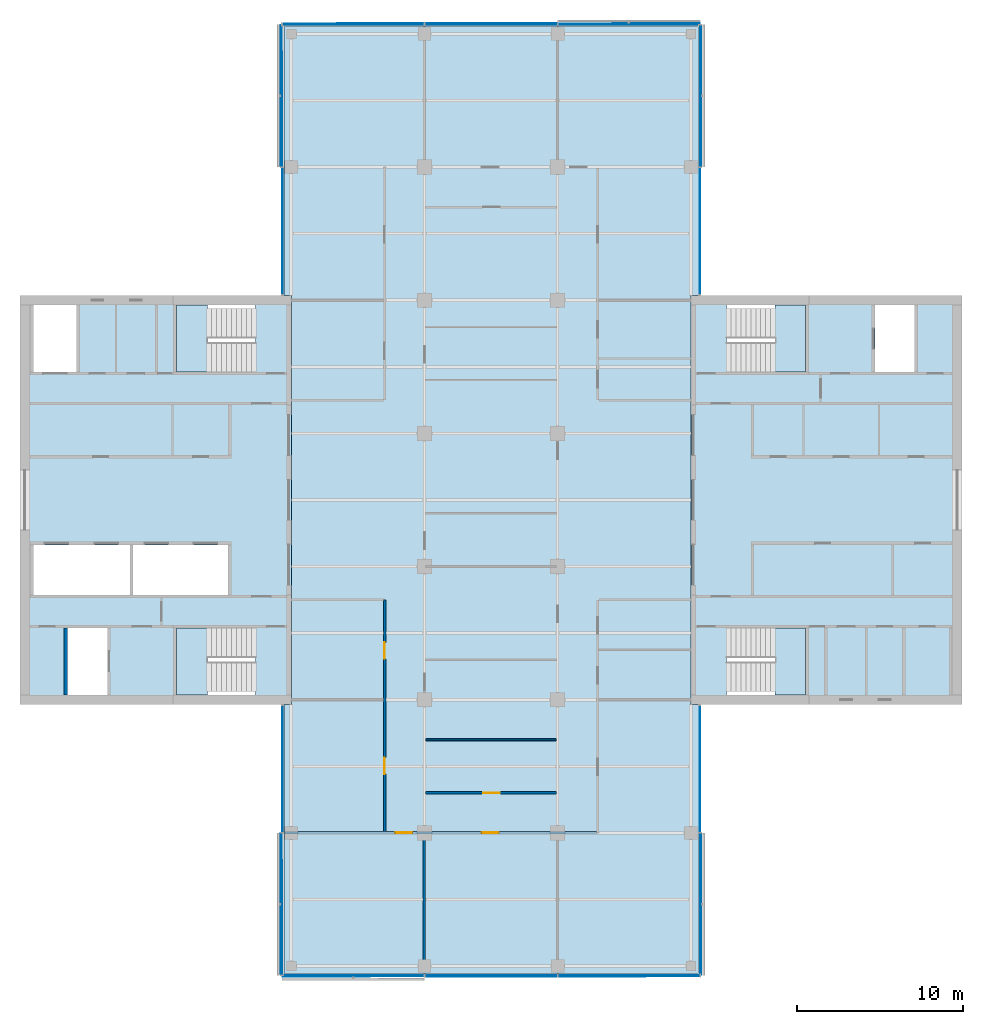
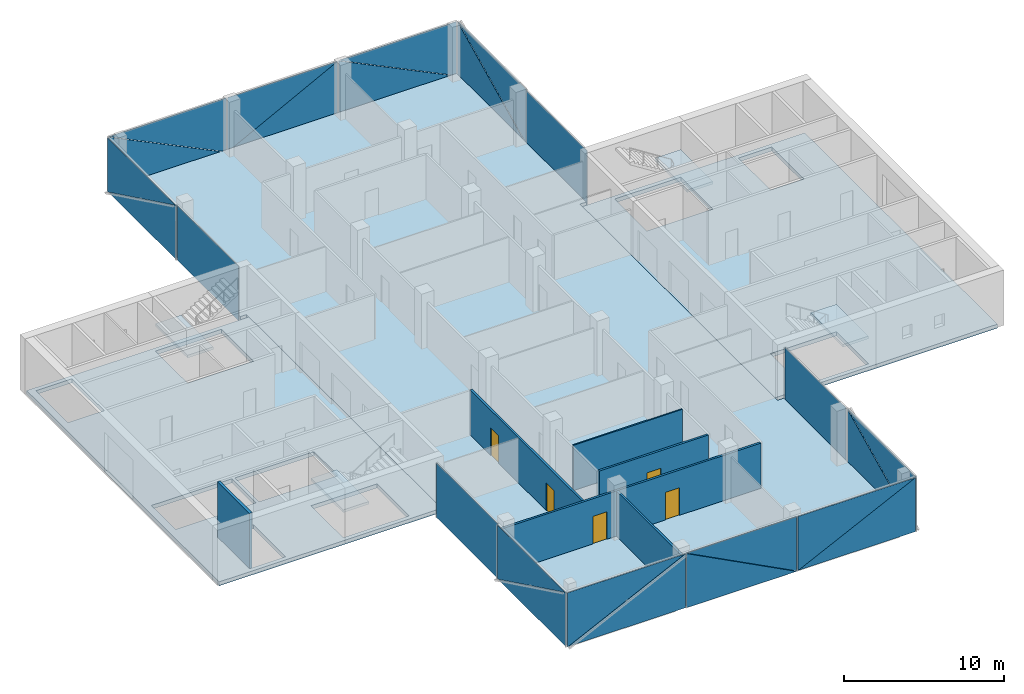
# One storey, part 8 of 15: 24 plates, 7 slabs, 6 walls, 5 doors, 5 openings, 14 elements without a shape of their own.
"""IFC4 building model written with IfcOpenShell, lengths in metres."""

from ifc_helpers import new_model, si_unit, direction, frame, frame_2d, origin, place, context, subcontext, project, spatial, polyline, rectangle, outline, extrude, material, layer, layer_set, type_object, element, fill, aggregate, save


model = new_model("IFC4")

# Units and contexts
model_context = context("Model", 3, precision=1e-05, world=origin(), true_north=direction((0.0, 1.0)))
body_context = subcontext(model_context, "Body", "Model", "MODEL_VIEW")
ifc_project = project(units=[si_unit("LENGTHUNIT", "METRE"), si_unit("AREAUNIT", "SQUARE_METRE"), si_unit("VOLUMEUNIT", "CUBIC_METRE"), si_unit("PLANEANGLEUNIT", "RADIAN"), si_unit("MASSUNIT", "GRAM", prefix="KILO")], contexts=[model_context])

# Site, building, storey
site_placement = place(None, origin())
site = spatial("IfcSite", under=ifc_project, at=site_placement, CompositionType="ELEMENT")
building_placement = place(site_placement, origin())
building = spatial("IfcBuilding", under=site, at=building_placement, Name="Crosswind Convention Tower", CompositionType="ELEMENT")
storey_placement = place(building_placement, frame((0.0, 0.0, 195.699951171875)))
storey = spatial("IfcBuildingStorey", under=building, at=storey_placement, Name="L41", CompositionType="ELEMENT", Elevation=195.699951171875)

# Slabs
ifc_material_1 = material(Name="Concrete C40/50", Category="concrete")
ifc_layer_1 = layer(ifc_material_1, 0.300048828125)
ifc_layer_set_1 = layer_set([ifc_layer_1], Name="Concrete C40/50")
slab_type_1 = type_object("IfcSlabType", Name="Composite floor slab 300", PredefinedType="FLOOR", material=ifc_layer_set_1)
slab_1_placement = place(storey_placement, frame((0.0, 0.0, -0.300048828125)))
element("IfcSlab", 1, at=slab_1_placement, inside=storey, type_object=slab_type_1, Name="Floor slab L41", PredefinedType="FLOOR", context=body_context, shape_type="SweptSolid", body=[
    extrude(outline(polyline([(137.449951171875, 71.550048828125), (137.0, 71.550048828125), (113.0, 71.550048828125), (112.550048828125, 71.550048828125), (112.550048828125, 72.0), (112.550048828125, 87.699951171875), (113.0, 87.699951171875), (113.0, 112.300048828125), (112.550048828125, 112.300048828125), (112.550048828125, 128.0), (112.550048828125, 128.449951171875), (113.0, 128.449951171875), (137.0, 128.449951171875), (137.449951171875, 128.449951171875), (137.449951171875, 128.0), (137.449951171875, 112.300048828125), (137.0, 112.300048828125), (137.0, 87.699951171875), (137.449951171875, 87.699951171875), (137.449951171875, 72.0), (137.449951171875, 71.550048828125)])), origin(), (0.0, 0.0, 1.0), 0.300048828125),
])
ifc_layer_2 = layer(ifc_material_1, 0.300048828125)
ifc_layer_set_2 = layer_set([ifc_layer_2], Name="Concrete C40/50")
slab_type_2 = type_object("IfcSlabType", Name="Concrete core floor slab 300", PredefinedType="FLOOR", material=ifc_layer_set_2)
slab_2_placement = place(storey_placement, frame((0.0, 0.0, -0.300048828125)))
element("IfcSlab", 2, at=slab_2_placement, inside=storey, type_object=slab_type_2, Name="Core floor slab E L41", PredefinedType="FLOOR", context=body_context, shape_type="SweptSolid", body=[
    extrude(outline(polyline([(137.0, 88.0), (153.0, 88.0), (153.0, 112.0), (137.0, 112.0), (137.0, 88.0)]), holes=[polyline([(150.449951171875, 107.699951171875), (150.449951171875, 111.699951171875), (148.050048828125, 111.699951171875), (148.050048828125, 107.699951171875), (150.449951171875, 107.699951171875)]), polyline([(143.89990234375, 107.699951171875), (143.89990234375, 111.699951171875), (139.14990234375, 111.699951171875), (139.14990234375, 107.699951171875), (143.89990234375, 107.699951171875)]), polyline([(143.89990234375, 88.300048828125), (143.89990234375, 92.300048828125), (139.14990234375, 92.300048828125), (139.14990234375, 88.300048828125), (143.89990234375, 88.300048828125)])]), origin(), (0.0, 0.0, 1.0), 0.300048828125),
])
slab_3_placement = place(storey_placement, frame((0.0, 0.0, -0.300048828125)))
element("IfcSlab", 3, at=slab_3_placement, inside=storey, type_object=slab_type_2, Name="Core floor slab W L41", PredefinedType="FLOOR", context=body_context, shape_type="SweptSolid", body=[
    extrude(outline(polyline([(97.0, 88.0), (113.0, 88.0), (113.0, 112.0), (97.0, 112.0), (97.0, 88.0)]), holes=[polyline([(109.199951171875, 94.300048828125), (109.199951171875, 97.300048828125), (103.5, 97.300048828125), (103.5, 94.300048828125), (109.199951171875, 94.300048828125)]), polyline([(103.300048828125, 94.300048828125), (103.300048828125, 97.300048828125), (97.5, 97.300048828125), (97.5, 94.300048828125), (103.300048828125, 94.300048828125)]), polyline([(101.949951171875, 88.300048828125), (101.949951171875, 92.300048828125), (99.550048828125, 92.300048828125), (99.550048828125, 88.300048828125), (101.949951171875, 88.300048828125)]), polyline([(100.10009765625, 107.699951171875), (100.10009765625, 111.699951171875), (97.5, 111.699951171875), (97.5, 107.699951171875), (100.10009765625, 107.699951171875)]), polyline([(110.85009765625, 88.300048828125), (110.85009765625, 92.300048828125), (106.10009765625, 92.300048828125), (106.10009765625, 88.300048828125), (110.85009765625, 88.300048828125)]), polyline([(110.85009765625, 107.699951171875), (110.85009765625, 111.699951171875), (106.10009765625, 111.699951171875), (106.10009765625, 107.699951171875), (110.85009765625, 107.699951171875)])]), origin(), (0.0, 0.0, 1.0), 0.300048828125),
])

# Stair, slab
stair_type = type_object("IfcStairType", Name="Exit stair 1800 wide, 2 flights of 11 risers", PredefinedType="HALF_TURN_STAIR", material=ifc_material_1)
stair_1_placement = place(storey_placement, origin())
stair_1 = element("IfcStair", 4, at=stair_1_placement, inside=storey, type_object=stair_type, Name="Exit stair ST1 L41", ObjectType="ST5", PredefinedType="HALF_TURN_STAIR")
ifc_layer_3 = layer(ifc_material_1, 0.199951171875)
ifc_layer_set_3 = layer_set([ifc_layer_3], Name="Concrete C40/50")
slab_type_3 = type_object("IfcSlabType", Name="Stair landing 200", PredefinedType="LANDING", material=ifc_layer_set_3)
slab_4_placement = place(storey_placement, frame((0.0, 0.0, 1.900146484375)))
slab_4 = element("IfcSlab", 5, at=slab_4_placement, type_object=slab_type_3, Name="ST1 landing 1", PredefinedType="LANDING", context=body_context, shape_type="SweptSolid", body=[
    extrude(outline(polyline([(143.89990234375, 107.699951171875), (143.89990234375, 111.699951171875), (142.050048828125, 111.699951171875), (142.050048828125, 107.699951171875), (143.89990234375, 107.699951171875)])), origin(), (0.0, 0.0, 1.0), 0.199951171875),
])
aggregate(stair_1, [slab_4])

stair_2_placement = place(storey_placement, origin())
stair_2 = element("IfcStair", 6, at=stair_2_placement, inside=storey, type_object=stair_type, Name="Exit stair ST2 L41", ObjectType="ST5", PredefinedType="HALF_TURN_STAIR")
slab_5_placement = place(storey_placement, frame((0.0, 0.0, 1.900146484375)))
slab_5 = element("IfcSlab", 7, at=slab_5_placement, type_object=slab_type_3, Name="ST2 landing 1", PredefinedType="LANDING", context=body_context, shape_type="SweptSolid", body=[
    extrude(outline(polyline([(143.89990234375, 88.300048828125), (143.89990234375, 92.300048828125), (142.050048828125, 92.300048828125), (142.050048828125, 88.300048828125), (143.89990234375, 88.300048828125)])), origin(), (0.0, 0.0, 1.0), 0.199951171875),
])
aggregate(stair_2, [slab_5])

stair_3_placement = place(storey_placement, origin())
stair_3 = element("IfcStair", 8, at=stair_3_placement, inside=storey, type_object=stair_type, Name="Exit stair ST3 L41", ObjectType="ST5", PredefinedType="HALF_TURN_STAIR")
slab_6_placement = place(storey_placement, frame((0.0, 0.0, 1.900146484375)))
slab_6 = element("IfcSlab", 9, at=slab_6_placement, type_object=slab_type_3, Name="ST3 landing 1", PredefinedType="LANDING", context=body_context, shape_type="SweptSolid", body=[
    extrude(outline(polyline([(107.949951171875, 88.300048828125), (107.949951171875, 92.300048828125), (106.10009765625, 92.300048828125), (106.10009765625, 88.300048828125), (107.949951171875, 88.300048828125)])), origin(), (0.0, 0.0, 1.0), 0.199951171875),
])
aggregate(stair_3, [slab_6])

stair_4_placement = place(storey_placement, origin())
stair_4 = element("IfcStair", 10, at=stair_4_placement, inside=storey, type_object=stair_type, Name="Exit stair ST4 L41", ObjectType="ST5", PredefinedType="HALF_TURN_STAIR")
slab_7_placement = place(storey_placement, frame((0.0, 0.0, 1.900146484375)))
slab_7 = element("IfcSlab", 11, at=slab_7_placement, type_object=slab_type_3, Name="ST4 landing 1", PredefinedType="LANDING", context=body_context, shape_type="SweptSolid", body=[
    extrude(outline(polyline([(107.949951171875, 107.699951171875), (107.949951171875, 111.699951171875), (106.10009765625, 111.699951171875), (106.10009765625, 107.699951171875), (107.949951171875, 107.699951171875)])), origin(), (0.0, 0.0, 1.0), 0.199951171875),
])
aggregate(stair_4, [slab_7])

# Curtain wall, plate
ifc_material_2 = material(Name="Aluminium unitised curtain wall", Category="aluminium")
curtain_wall_type_1 = type_object("IfcCurtainWallType", Name="CORE END SLOT WALL 160", PredefinedType="USERDEFINED", material=ifc_material_2)
curtain_wall_1_placement = place(storey_placement, origin())
curtain_wall_1 = element("IfcCurtainWall", 12, at=curtain_wall_1_placement, inside=storey, type_object=curtain_wall_type_1, Name="CW6 L41 N-E.1-1 slot", ObjectType="UNITISED", PredefinedType="USERDEFINED")
ifc_material_3 = material(Name="Laminated insulating glass unit", Category="glass")
ifc_layer_4 = layer(ifc_material_3, 0.02587890625)
ifc_layer_set_4 = layer_set([ifc_layer_4], Name="TRIANGULAR GLASS PANEL 26")
plate_type_1 = type_object("IfcPlateType", Name="TRIANGULAR GLASS PANEL 26", PredefinedType="CURTAIN_PANEL", material=ifc_layer_set_4)
plate_1_placement = place(storey_placement, frame((137.556884765625, 112.35009765625, -0.300048828125), z_axis=(0.999999915215, 0.0, 0.000411788894), x_axis=(0.0, 1.0, 0.0)))
plate_1 = element("IfcPlate", 13, at=plate_1_placement, type_object=plate_type_1, Name="CW6 panel 1.1", PredefinedType="CURTAIN_PANEL", context=body_context, shape_type="SweptSolid", body=[
    extrude(outline(polyline([(0.0, 0.0), (7.599853515625, 0.0), (7.599853515625, 4.150146836245408), (0.0, 4.150146836245408), (0.0, 0.0)])), origin(), (0.0, 0.0, -1.0), 0.02587890625),
])
aggregate(curtain_wall_1, [plate_1])

curtain_wall_2_placement = place(storey_placement, origin())
curtain_wall_2 = element("IfcCurtainWall", 14, at=curtain_wall_2_placement, inside=storey, type_object=curtain_wall_type_1, Name="CW6 L41 N-W.1-2 slot", ObjectType="UNITISED", PredefinedType="USERDEFINED")
plate_2_placement = place(storey_placement, frame((112.443115234375, 119.949951171875, -0.300048828125), z_axis=(-0.999999915215, 0.0, 0.000411788894), x_axis=(0.0, -1.0, 0.0)))
plate_2 = element("IfcPlate", 15, at=plate_2_placement, type_object=plate_type_1, Name="CW6 panel 1.1", PredefinedType="CURTAIN_PANEL", context=body_context, shape_type="SweptSolid", body=[
    extrude(outline(polyline([(0.0, 0.0), (7.599853515625, 0.0), (7.599853515625, 4.150146836245408), (0.0, 4.150146836245408), (0.0, 0.0)])), origin(), (0.0, 0.0, -1.0), 0.02587890625),
])
aggregate(curtain_wall_2, [plate_2])

curtain_wall_3_placement = place(storey_placement, origin())
curtain_wall_3 = element("IfcCurtainWall", 16, at=curtain_wall_3_placement, inside=storey, type_object=curtain_wall_type_1, Name="CW6 L41 S-W.1-1 slot", ObjectType="UNITISED", PredefinedType="USERDEFINED")
plate_3_placement = place(storey_placement, frame((112.443115234375, 87.64990234375, -0.300048828125), z_axis=(-0.999999915215, 0.0, 0.000411788894), x_axis=(0.0, -1.0, 0.0)))
plate_3 = element("IfcPlate", 17, at=plate_3_placement, type_object=plate_type_1, Name="CW6 panel 1.1", PredefinedType="CURTAIN_PANEL", context=body_context, shape_type="SweptSolid", body=[
    extrude(outline(polyline([(0.0, 0.0), (7.599853515625, 0.0), (7.599853515625, 4.150146836245408), (0.0, 4.150146836245408), (0.0, 0.0)])), origin(), (0.0, 0.0, -1.0), 0.02587890625),
])
aggregate(curtain_wall_3, [plate_3])

curtain_wall_4_placement = place(storey_placement, origin())
curtain_wall_4 = element("IfcCurtainWall", 18, at=curtain_wall_4_placement, inside=storey, type_object=curtain_wall_type_1, Name="CW6 L41 S-E.1-2 slot", ObjectType="UNITISED", PredefinedType="USERDEFINED")
plate_4_placement = place(storey_placement, frame((137.556884765625, 80.050048828125, -0.300048828125), z_axis=(0.999999915215, 0.0, 0.000411788894), x_axis=(0.0, 1.0, 0.0)))
plate_4 = element("IfcPlate", 19, at=plate_4_placement, type_object=plate_type_1, Name="CW6 panel 1.1", PredefinedType="CURTAIN_PANEL", context=body_context, shape_type="SweptSolid", body=[
    extrude(outline(polyline([(0.0, 0.0), (7.599853515625, 0.0), (7.599853515625, 4.150146836245408), (0.0, 4.150146836245408), (0.0, 0.0)])), origin(), (0.0, 0.0, -1.0), 0.02587890625),
])
aggregate(curtain_wall_4, [plate_4])

# Curtain wall, plates
curtain_wall_type_2 = type_object("IfcCurtainWallType", Name="OFFICE UNITISED WALL 220", PredefinedType="USERDEFINED", material=ifc_material_2)
curtain_wall_5_placement = place(storey_placement, origin())
curtain_wall_5 = element("IfcCurtainWall", 20, at=curtain_wall_5_placement, inside=storey, type_object=curtain_wall_type_2, Name="CW3 L41 N-E 1", ObjectType="UNITISED", PredefinedType="USERDEFINED")
ifc_layer_5 = layer(ifc_material_3, 0.031982421875)
ifc_layer_set_5 = layer_set([ifc_layer_5], Name="TRIANGULAR GLASS PANEL 32")
plate_type_2 = type_object("IfcPlateType", Name="TRIANGULAR GLASS PANEL 32", PredefinedType="CURTAIN_PANEL", material=ifc_layer_set_5)
plate_5_placement = place(storey_placement, frame((137.5927734375, 128.52490234375, -0.300048828125), z_axis=(0.999999913924, 0.0, 0.000414913129), x_axis=(-0.000414913129, 0.0, 0.999999913924)))
plate_5 = element("IfcPlate", 21, at=plate_5_placement, type_object=plate_type_2, Name="CW3 panel 1.1", PredefinedType="CURTAIN_PANEL", context=body_context, shape_type="SweptSolid", body=[
    extrude(outline(polyline([(0.0, 0.0), (4.118896838915043, 0.0), (0.0, 8.467041015624998), (0.0, 0.0)])), origin(), (0.0, 0.0, -1.0), 0.031982421875),
])
plate_6_placement = place(storey_placement, frame((137.625244140625, 120.034912109375, 3.830078125), z_axis=(0.99999993676, 0.0, 0.000355639833), x_axis=(0.000355639833, 0.0, -0.99999993676)))
plate_6 = element("IfcPlate", 22, at=plate_6_placement, type_object=plate_type_2, Name="CW3 panel 1.2", PredefinedType="CURTAIN_PANEL", context=body_context, shape_type="SweptSolid", body=[
    extrude(outline(polyline([(0.0, 0.0), (4.1188967448534015, 0.0), (0.0, 8.46728515625), (0.0, 0.0)])), origin(), (0.0, 0.0, -1.0), 0.031982421875),
])
aggregate(curtain_wall_5, [plate_5, plate_6])

curtain_wall_6_placement = place(storey_placement, origin())
curtain_wall_6 = element("IfcCurtainWall", 23, at=curtain_wall_6_placement, inside=storey, type_object=curtain_wall_type_2, Name="CW3 L41 N-TIP 1", ObjectType="UNITISED", PredefinedType="USERDEFINED")
plate_7_placement = place(storey_placement, frame((129.034912109375, 128.5927734375, -0.300048828125), z_axis=(0.0, 0.999999913924, 0.000414913129), x_axis=(0.0, -0.000414913129, 0.999999913924)))
plate_7 = element("IfcPlate", 24, at=plate_7_placement, type_object=plate_type_2, Name="CW3 panel 1.1", PredefinedType="CURTAIN_PANEL", context=body_context, shape_type="SweptSolid", body=[
    extrude(outline(polyline([(0.0, 0.0), (4.118896838915043, 0.0), (0.0, 8.467285156249998), (0.0, 0.0)])), origin(), (0.0, 0.0, -1.0), 0.031982421875),
])
plate_8_placement = place(storey_placement, frame((137.52490234375, 128.625244140625, 3.830078125), z_axis=(0.0, 0.99999993676, 0.000355639833), x_axis=(0.0, 0.000355639833, -0.99999993676)))
plate_8 = element("IfcPlate", 25, at=plate_8_placement, type_object=plate_type_2, Name="CW3 panel 1.2", PredefinedType="CURTAIN_PANEL", context=body_context, shape_type="SweptSolid", body=[
    extrude(outline(polyline([(0.0, 0.0), (4.1188967448534015, 0.0), (0.0, 8.467041015625), (0.0, 0.0)])), origin(), (0.0, 0.0, -1.0), 0.031982421875),
])
plate_9_placement = place(storey_placement, frame((121.034912109375, 128.591064453125, 3.830078125), z_axis=(0.0, 0.999999913913, 0.000414937724), x_axis=(1.0, 0.0, 0.0)))
plate_9 = element("IfcPlate", 26, at=plate_9_placement, type_object=plate_type_2, Name="CW3 panel 2.1", PredefinedType="CURTAIN_PANEL", context=body_context, shape_type="SweptSolid", body=[
    extrude(outline(polyline([(0.0, 0.0), (7.908447265625, 0.0), (0.0, 4.118652698311059), (0.0, 0.0)])), origin(), (0.0, 0.0, -1.0), 0.031982421875),
])
plate_10_placement = place(storey_placement, frame((128.965087890625, 128.626708984375, -0.300048828125), z_axis=(0.0, 0.99999993676, 0.000355639833), x_axis=(-1.0, 0.0, 0.0)))
plate_10 = element("IfcPlate", 27, at=plate_10_placement, type_object=plate_type_2, Name="CW3 panel 2.2", PredefinedType="CURTAIN_PANEL", context=body_context, shape_type="SweptSolid", body=[
    extrude(outline(polyline([(0.0, 0.0), (7.908447265625, 0.0), (0.0, 4.1188967448534015), (0.0, 0.0)])), origin(), (0.0, 0.0, -1.0), 0.031982421875),
])
plate_11_placement = place(storey_placement, frame((112.47509765625, 128.5927734375, -0.300048828125), z_axis=(0.0, 0.999999913924, 0.000414913129), x_axis=(0.0, -0.000414913129, 0.999999913924)))
plate_11 = element("IfcPlate", 28, at=plate_11_placement, type_object=plate_type_2, Name="CW3 panel 3.1", PredefinedType="CURTAIN_PANEL", context=body_context, shape_type="SweptSolid", body=[
    extrude(outline(polyline([(0.0, 0.0), (4.118896838915043, 0.0), (0.0, 8.467041015624998), (0.0, 0.0)])), origin(), (0.0, 0.0, -1.0), 0.031982421875),
])
plate_12_placement = place(storey_placement, frame((120.965087890625, 128.625244140625, 3.830078125), z_axis=(0.0, 0.99999993676, 0.000355639833), x_axis=(0.0, 0.000355639833, -0.99999993676)))
plate_12 = element("IfcPlate", 29, at=plate_12_placement, type_object=plate_type_2, Name="CW3 panel 3.2", PredefinedType="CURTAIN_PANEL", context=body_context, shape_type="SweptSolid", body=[
    extrude(outline(polyline([(0.0, 0.0), (4.1188967448534015, 0.0), (0.0, 8.46728515625), (0.0, 0.0)])), origin(), (0.0, 0.0, -1.0), 0.031982421875),
])
aggregate(curtain_wall_6, [plate_7, plate_8, plate_9, plate_10, plate_11, plate_12])

curtain_wall_7_placement = place(storey_placement, origin())
curtain_wall_7 = element("IfcCurtainWall", 30, at=curtain_wall_7_placement, inside=storey, type_object=curtain_wall_type_2, Name="CW3 L41 N-W 1", ObjectType="UNITISED", PredefinedType="USERDEFINED")
plate_13_placement = place(storey_placement, frame((112.4072265625, 120.034912109375, -0.300048828125), z_axis=(-0.999999913924, 0.0, 0.000414913129), x_axis=(0.000414913129, 0.0, 0.999999913924)))
plate_13 = element("IfcPlate", 31, at=plate_13_placement, type_object=plate_type_2, Name="CW3 panel 1.1", PredefinedType="CURTAIN_PANEL", context=body_context, shape_type="SweptSolid", body=[
    extrude(outline(polyline([(0.0, 0.0), (4.118896838915043, 0.0), (0.0, 8.467285156249998), (0.0, 0.0)])), origin(), (0.0, 0.0, -1.0), 0.031982421875),
])
plate_14_placement = place(storey_placement, frame((112.374755859375, 128.52490234375, 3.830078125), z_axis=(-0.99999993676, 0.0, 0.000355639833), x_axis=(-0.000355639833, 0.0, -0.99999993676)))
plate_14 = element("IfcPlate", 32, at=plate_14_placement, type_object=plate_type_2, Name="CW3 panel 1.2", PredefinedType="CURTAIN_PANEL", context=body_context, shape_type="SweptSolid", body=[
    extrude(outline(polyline([(0.0, 0.0), (4.1188967448534015, 0.0), (0.0, 8.467041015625), (0.0, 0.0)])), origin(), (0.0, 0.0, -1.0), 0.031982421875),
])
aggregate(curtain_wall_7, [plate_13, plate_14])

curtain_wall_8_placement = place(storey_placement, origin())
curtain_wall_8 = element("IfcCurtainWall", 33, at=curtain_wall_8_placement, inside=storey, type_object=curtain_wall_type_2, Name="CW3 L41 S-W 1", ObjectType="UNITISED", PredefinedType="USERDEFINED")
plate_15_placement = place(storey_placement, frame((112.4072265625, 71.47509765625, -0.300048828125), z_axis=(-0.999999913924, 0.0, 0.000414913129), x_axis=(0.000414913129, 0.0, 0.999999913924)))
plate_15 = element("IfcPlate", 34, at=plate_15_placement, type_object=plate_type_2, Name="CW3 panel 1.1", PredefinedType="CURTAIN_PANEL", context=body_context, shape_type="SweptSolid", body=[
    extrude(outline(polyline([(0.0, 0.0), (4.118896838915043, 0.0), (0.0, 8.467041015624998), (0.0, 0.0)])), origin(), (0.0, 0.0, -1.0), 0.031982421875),
])
plate_16_placement = place(storey_placement, frame((112.374755859375, 79.965087890625, 3.830078125), z_axis=(-0.99999993676, 0.0, 0.000355639833), x_axis=(-0.000355639833, 0.0, -0.99999993676)))
plate_16 = element("IfcPlate", 35, at=plate_16_placement, type_object=plate_type_2, Name="CW3 panel 1.2", PredefinedType="CURTAIN_PANEL", context=body_context, shape_type="SweptSolid", body=[
    extrude(outline(polyline([(0.0, 0.0), (4.1188967448534015, 0.0), (0.0, 8.46728515625), (0.0, 0.0)])), origin(), (0.0, 0.0, -1.0), 0.031982421875),
])
aggregate(curtain_wall_8, [plate_15, plate_16])

curtain_wall_9_placement = place(storey_placement, origin())
curtain_wall_9 = element("IfcCurtainWall", 36, at=curtain_wall_9_placement, inside=storey, type_object=curtain_wall_type_2, Name="CW3 L41 S-TIP 1", ObjectType="UNITISED", PredefinedType="USERDEFINED")
plate_17_placement = place(storey_placement, frame((120.965087890625, 71.4072265625, -0.300048828125), z_axis=(0.0, -0.999999913924, 0.000414913129), x_axis=(0.0, 0.000414913129, 0.999999913924)))
plate_17 = element("IfcPlate", 37, at=plate_17_placement, type_object=plate_type_2, Name="CW3 panel 1.1", PredefinedType="CURTAIN_PANEL", context=body_context, shape_type="SweptSolid", body=[
    extrude(outline(polyline([(0.0, 0.0), (4.118896838915043, 0.0), (0.0, 8.467285156249998), (0.0, 0.0)])), origin(), (0.0, 0.0, -1.0), 0.031982421875),
])
plate_18_placement = place(storey_placement, frame((112.47509765625, 71.374755859375, 3.830078125), z_axis=(0.0, -0.99999993676, 0.000355639833), x_axis=(0.0, -0.000355639833, -0.99999993676)))
plate_18 = element("IfcPlate", 38, at=plate_18_placement, type_object=plate_type_2, Name="CW3 panel 1.2", PredefinedType="CURTAIN_PANEL", context=body_context, shape_type="SweptSolid", body=[
    extrude(outline(polyline([(0.0, 0.0), (4.1188967448534015, 0.0), (0.0, 8.467041015625), (0.0, 0.0)])), origin(), (0.0, 0.0, -1.0), 0.031982421875),
])
plate_19_placement = place(storey_placement, frame((128.965087890625, 71.408935546875, 3.830078125), z_axis=(0.0, -0.999999913913, 0.000414937724), x_axis=(-1.0, 0.0, 0.0)))
plate_19 = element("IfcPlate", 39, at=plate_19_placement, type_object=plate_type_2, Name="CW3 panel 2.1", PredefinedType="CURTAIN_PANEL", context=body_context, shape_type="SweptSolid", body=[
    extrude(outline(polyline([(0.0, 0.0), (7.908447265625, 0.0), (0.0, 4.118652698311059), (0.0, 0.0)])), origin(), (0.0, 0.0, -1.0), 0.031982421875),
])
plate_20_placement = place(storey_placement, frame((121.034912109375, 71.373291015625, -0.300048828125), z_axis=(0.0, -0.99999993676, 0.000355639833), x_axis=(1.0, 0.0, 0.0)))
plate_20 = element("IfcPlate", 40, at=plate_20_placement, type_object=plate_type_2, Name="CW3 panel 2.2", PredefinedType="CURTAIN_PANEL", context=body_context, shape_type="SweptSolid", body=[
    extrude(outline(polyline([(0.0, 0.0), (7.908447265625, 0.0), (0.0, 4.1188967448534015), (0.0, 0.0)])), origin(), (0.0, 0.0, -1.0), 0.031982421875),
])
plate_21_placement = place(storey_placement, frame((137.52490234375, 71.4072265625, -0.300048828125), z_axis=(0.0, -0.999999913924, 0.000414913129), x_axis=(0.0, 0.000414913129, 0.999999913924)))
plate_21 = element("IfcPlate", 41, at=plate_21_placement, type_object=plate_type_2, Name="CW3 panel 3.1", PredefinedType="CURTAIN_PANEL", context=body_context, shape_type="SweptSolid", body=[
    extrude(outline(polyline([(0.0, 0.0), (4.118896838915043, 0.0), (0.0, 8.467041015624998), (0.0, 0.0)])), origin(), (0.0, 0.0, -1.0), 0.031982421875),
])
plate_22_placement = place(storey_placement, frame((129.034912109375, 71.374755859375, 3.830078125), z_axis=(0.0, -0.99999993676, 0.000355639833), x_axis=(0.0, -0.000355639833, -0.99999993676)))
plate_22 = element("IfcPlate", 42, at=plate_22_placement, type_object=plate_type_2, Name="CW3 panel 3.2", PredefinedType="CURTAIN_PANEL", context=body_context, shape_type="SweptSolid", body=[
    extrude(outline(polyline([(0.0, 0.0), (4.1188967448534015, 0.0), (0.0, 8.46728515625), (0.0, 0.0)])), origin(), (0.0, 0.0, -1.0), 0.031982421875),
])
aggregate(curtain_wall_9, [plate_17, plate_18, plate_19, plate_20, plate_21, plate_22])

curtain_wall_10_placement = place(storey_placement, origin())
curtain_wall_10 = element("IfcCurtainWall", 43, at=curtain_wall_10_placement, inside=storey, type_object=curtain_wall_type_2, Name="CW3 L41 S-E 1", ObjectType="UNITISED", PredefinedType="USERDEFINED")
plate_23_placement = place(storey_placement, frame((137.5927734375, 79.965087890625, -0.300048828125), z_axis=(0.999999913924, 0.0, 0.000414913129), x_axis=(-0.000414913129, 0.0, 0.999999913924)))
plate_23 = element("IfcPlate", 44, at=plate_23_placement, type_object=plate_type_2, Name="CW3 panel 1.1", PredefinedType="CURTAIN_PANEL", context=body_context, shape_type="SweptSolid", body=[
    extrude(outline(polyline([(0.0, 0.0), (4.118896838915043, 0.0), (0.0, 8.467285156249998), (0.0, 0.0)])), origin(), (0.0, 0.0, -1.0), 0.031982421875),
])
plate_24_placement = place(storey_placement, frame((137.625244140625, 71.47509765625, 3.830078125), z_axis=(0.99999993676, 0.0, 0.000355639833), x_axis=(0.000355639833, 0.0, -0.99999993676)))
plate_24 = element("IfcPlate", 45, at=plate_24_placement, type_object=plate_type_2, Name="CW3 panel 1.2", PredefinedType="CURTAIN_PANEL", context=body_context, shape_type="SweptSolid", body=[
    extrude(outline(polyline([(0.0, 0.0), (4.1188967448534015, 0.0), (0.0, 8.467041015625), (0.0, 0.0)])), origin(), (0.0, 0.0, -1.0), 0.031982421875),
])
aggregate(curtain_wall_10, [plate_23, plate_24])

# Walls
ifc_material_4 = material(Name="Concrete C50/60", Category="concrete")
ifc_layer_6 = layer(ifc_material_4, 0.199951171875)
ifc_layer_set_6 = layer_set([ifc_layer_6], Name="Concrete C50/60")
wall_type_1 = type_object("IfcWallType", Name="Concrete shaft and stair wall 200", PredefinedType="SHEAR", material=ifc_layer_set_6)
wall_1_placement = place(storey_placement, frame((99.449951171875, 92.300048828125, 0.0), z_axis=(0.0, 0.0, 1.0), x_axis=(0.0, -1.0, 0.0)))
element("IfcWall", 46, at=wall_1_placement, inside=storey, type_object=wall_type_1, Name="Wall PFSE W L41", PredefinedType="SHEAR", context=body_context, shape_type="SweptSolid", body=[
    extrude(rectangle(XDim=4.0, YDim=0.199951171875, at=frame_2d((2.0, 0.0))), origin(), (0.0, 0.0, 1.0), 4.199951171875),
])
ifc_material_5 = material(Name="Plasterboard partition", Category="gypsum")
ifc_layer_7 = layer(ifc_material_5, 0.10009765625)
ifc_layer_set_7 = layer_set([ifc_layer_7], Name="PARTITION 100 METAL STUD")
wall_type_2 = type_object("IfcWallType", Name="PARTITION 100 METAL STUD", PredefinedType="PARTITIONING", material=ifc_layer_set_7)
wall_2_placement = place(storey_placement, frame((121.074951171875, 85.60009765625, 0.0), z_axis=(0.0, 0.0, 1.0), x_axis=(1.0, 0.0, 0.0)))
element("IfcWall", 47, at=wall_2_placement, inside=storey, type_object=wall_type_2, Name="Partition wall WT40", PredefinedType="PARTITIONING", context=body_context, shape_type="SweptSolid", body=[
    extrude(rectangle(XDim=7.85009765625, YDim=0.10009765625, at=frame_2d((3.925048828125, 0.0))), origin(), (0.0, 0.0, 1.0), 3.43994140625),
])

# Wall, openings, doors
ifc_material_6 = material(Name="Fire-board partition with mineral wool", Category="gypsum")
ifc_layer_8 = layer(ifc_material_6, 0.14990234375)
ifc_layer_set_8 = layer_set([ifc_layer_8], Name="TENANCY WALL 150 TWO-HOUR BOARD")
wall_type_3 = type_object("IfcWallType", Name="TENANCY WALL 150 TWO-HOUR BOARD", PredefinedType="PARTITIONING", material=ifc_layer_set_8)
wall_3_placement = place(storey_placement, frame((118.60009765625, 80.074951171875, 0.0), z_axis=(0.0, 0.0, 1.0), x_axis=(0.0, 1.0, 0.0)))
wall_3 = element("IfcWall", 48, at=wall_3_placement, inside=storey, type_object=wall_type_3, Name="Tenancy wall WT41", PredefinedType="PARTITIONING", context=body_context, shape_type="SweptSolid", body=[
    extrude(rectangle(XDim=13.925048828125, YDim=0.14990234375, at=frame_2d((6.96240234375, 0.0))), origin(), (0.0, 0.0, 1.0), 3.43994140625),
])
opening_1_placement = place(wall_3_placement, frame((10.375, 0.0, 0.0)))
opening_1 = element("IfcOpeningElement", 49, at=opening_1_placement, cuts=wall_3, Name="Opening L41-58", PredefinedType="OPENING", context=body_context, shape_type="SweptSolid", body=[
    extrude(rectangle(XDim=1.0, YDim=2.10009765625, at=frame_2d((0.5, 1.050048828125))), frame((0.0, 0.0849609375, 0.0), z_axis=(0.0, -1.0, 0.0), x_axis=(1.0, 0.0, 0.0)), (0.0, 0.0, 1.0), 0.169921875),
])
opening_2_placement = place(wall_3_placement, frame((3.449951171875, 0.0, 0.0)))
opening_2 = element("IfcOpeningElement", 50, at=opening_2_placement, cuts=wall_3, Name="Opening L41-59", PredefinedType="OPENING", context=body_context, shape_type="SweptSolid", body=[
    extrude(rectangle(XDim=1.0, YDim=2.10009765625, at=frame_2d((0.5, 1.050048828125))), frame((0.0, 0.0849609375, 0.0), z_axis=(0.0, -1.0, 0.0), x_axis=(1.0, 0.0, 0.0)), (0.0, 0.0, 1.0), 0.169921875),
])
ifc_material_7 = material(Name="Timber fire door", Category="wood")
door_type = type_object("IfcDoorType", Name="TENANCY ENTRANCE DOOR 1000X2100 FD30S", OperationType="NOTDEFINED", PredefinedType="DOOR", material=ifc_material_7)
door_1_placement = place(opening_1_placement, origin())
door_1 = element("IfcDoor", 51, at=door_1_placement, inside=storey, type_object=door_type, Name="Door L41-58", ObjectType="D41", OperationType="SINGLE_SWING_LEFT", OverallHeight=2.10009765625, OverallWidth=1.0, PredefinedType="DOOR", context=body_context, shape_type="SweptSolid", body=[
    extrude(rectangle(XDim=1.0, YDim=2.10009765625, at=frame_2d((0.5, 1.050048828125))), frame((0.0, 0.02490234375, 0.0), z_axis=(0.0, -1.0, 0.0), x_axis=(1.0, 0.0, 0.0)), (0.0, 0.0, 1.0), 0.050048828125),
])
fill(opening_1, door_1)
door_2_placement = place(opening_2_placement, origin())
door_2 = element("IfcDoor", 52, at=door_2_placement, inside=storey, type_object=door_type, Name="Door L41-59", ObjectType="D41", OperationType="SINGLE_SWING_RIGHT", OverallHeight=2.10009765625, OverallWidth=1.0, PredefinedType="DOOR", context=body_context, shape_type="SweptSolid", body=[
    extrude(rectangle(XDim=1.0, YDim=2.10009765625, at=frame_2d((0.5, 1.050048828125))), frame((0.0, 0.02490234375, 0.0), z_axis=(0.0, -1.0, 0.0), x_axis=(1.0, 0.0, 0.0)), (0.0, 0.0, 1.0), 0.050048828125),
])
fill(opening_2, door_2)

# Wall
wall_4_placement = place(storey_placement, frame((121.0, 71.6298828125, 0.0), z_axis=(0.0, 0.0, 1.0), x_axis=(0.0, 1.0, 0.0)))
element("IfcWall", 53, at=wall_4_placement, inside=storey, type_object=wall_type_3, Name="Tenancy wall WT41", PredefinedType="PARTITIONING", context=body_context, shape_type="SweptSolid", body=[
    extrude(rectangle(XDim=8.295166015625, YDim=0.14990234375, at=frame_2d((4.1474609375, 0.0))), origin(), (0.0, 0.0, 1.0), 3.43994140625),
])

# Wall, openings, doors
wall_5_placement = place(storey_placement, frame((112.6298828125, 80.0, 0.0), z_axis=(0.0, 0.0, 1.0), x_axis=(1.0, 0.0, 0.0)))
wall_5 = element("IfcWall", 54, at=wall_5_placement, inside=storey, type_object=wall_type_3, Name="Tenancy wall WT41", PredefinedType="PARTITIONING", context=body_context, shape_type="SweptSolid", body=[
    extrude(rectangle(XDim=18.695068359375, YDim=0.14990234375, at=frame_2d((9.34765625, 0.0))), origin(), (0.0, 0.0, 1.0), 3.43994140625),
])
opening_3_placement = place(wall_5_placement, frame((6.6201171875, 0.0, 0.0)))
opening_3 = element("IfcOpeningElement", 55, at=opening_3_placement, cuts=wall_5, Name="Opening L41-62", PredefinedType="OPENING", context=body_context, shape_type="SweptSolid", body=[
    extrude(rectangle(XDim=1.0, YDim=2.10009765625, at=frame_2d((0.5, 1.050048828125))), frame((0.0, 0.0849609375, 0.0), z_axis=(0.0, -1.0, 0.0), x_axis=(1.0, 0.0, 0.0)), (0.0, 0.0, 1.0), 0.169921875),
])
opening_4_placement = place(wall_5_placement, frame((11.820068359375, 0.0, 0.0)))
opening_4 = element("IfcOpeningElement", 56, at=opening_4_placement, cuts=wall_5, Name="Opening L41-63", PredefinedType="OPENING", context=body_context, shape_type="SweptSolid", body=[
    extrude(rectangle(XDim=1.0, YDim=2.10009765625, at=frame_2d((0.5, 1.050048828125))), frame((0.0, 0.0849609375, 0.0), z_axis=(0.0, -1.0, 0.0), x_axis=(1.0, 0.0, 0.0)), (0.0, 0.0, 1.0), 0.169921875),
])
door_3_placement = place(opening_3_placement, frame((1.0, 0.0, 0.0), z_axis=(0.0, 0.0, 1.0), x_axis=(-1.0, 0.0, 0.0)))
door_3 = element("IfcDoor", 57, at=door_3_placement, inside=storey, type_object=door_type, Name="Door L41-62", ObjectType="D41", OperationType="SINGLE_SWING_LEFT", OverallHeight=2.10009765625, OverallWidth=1.0, PredefinedType="DOOR", context=body_context, shape_type="SweptSolid", body=[
    extrude(rectangle(XDim=1.0, YDim=2.10009765625, at=frame_2d((0.5, 1.050048828125))), frame((0.0, 0.02490234375, 0.0), z_axis=(0.0, -1.0, 0.0), x_axis=(1.0, 0.0, 0.0)), (0.0, 0.0, 1.0), 0.050048828125),
])
fill(opening_3, door_3)
door_4_placement = place(opening_4_placement, frame((1.0, 0.0, 0.0), z_axis=(0.0, 0.0, 1.0), x_axis=(-1.0, 0.0, 0.0)))
door_4 = element("IfcDoor", 58, at=door_4_placement, inside=storey, type_object=door_type, Name="Door L41-63", ObjectType="D41", OperationType="SINGLE_SWING_RIGHT", OverallHeight=2.10009765625, OverallWidth=1.0, PredefinedType="DOOR", context=body_context, shape_type="SweptSolid", body=[
    extrude(rectangle(XDim=1.0, YDim=2.10009765625, at=frame_2d((0.5, 1.050048828125))), frame((0.0, 0.02490234375, 0.0), z_axis=(0.0, -1.0, 0.0), x_axis=(1.0, 0.0, 0.0)), (0.0, 0.0, 1.0), 0.050048828125),
])
fill(opening_4, door_4)

# Wall, opening, door
wall_6_placement = place(storey_placement, frame((121.074951171875, 82.39990234375, 0.0), z_axis=(0.0, 0.0, 1.0), x_axis=(1.0, 0.0, 0.0)))
wall_6 = element("IfcWall", 59, at=wall_6_placement, inside=storey, type_object=wall_type_3, Name="Tenancy wall WT41", PredefinedType="PARTITIONING", context=body_context, shape_type="SweptSolid", body=[
    extrude(rectangle(XDim=7.85009765625, YDim=0.14990234375, at=frame_2d((3.925048828125, 0.0))), origin(), (0.0, 0.0, 1.0), 3.43994140625),
])
opening_5_placement = place(wall_6_placement, frame((3.449951171875, 0.0, 0.0)))
opening_5 = element("IfcOpeningElement", 60, at=opening_5_placement, cuts=wall_6, Name="Opening L41-64", PredefinedType="OPENING", context=body_context, shape_type="SweptSolid", body=[
    extrude(rectangle(XDim=1.0, YDim=2.10009765625, at=frame_2d((0.5, 1.050048828125))), frame((0.0, 0.0849609375, 0.0), z_axis=(0.0, -1.0, 0.0), x_axis=(1.0, 0.0, 0.0)), (0.0, 0.0, 1.0), 0.169921875),
])
door_5_placement = place(opening_5_placement, origin())
door_5 = element("IfcDoor", 61, at=door_5_placement, inside=storey, type_object=door_type, Name="Door L41-64", ObjectType="D41", OperationType="SINGLE_SWING_RIGHT", OverallHeight=2.10009765625, OverallWidth=1.0, PredefinedType="DOOR", context=body_context, shape_type="SweptSolid", body=[
    extrude(rectangle(XDim=1.0, YDim=2.10009765625, at=frame_2d((0.5, 1.050048828125))), frame((0.0, 0.02490234375, 0.0), z_axis=(0.0, -1.0, 0.0), x_axis=(1.0, 0.0, 0.0)), (0.0, 0.0, 1.0), 0.050048828125),
])
fill(opening_5, door_5)

save(model, "model.ifc")
